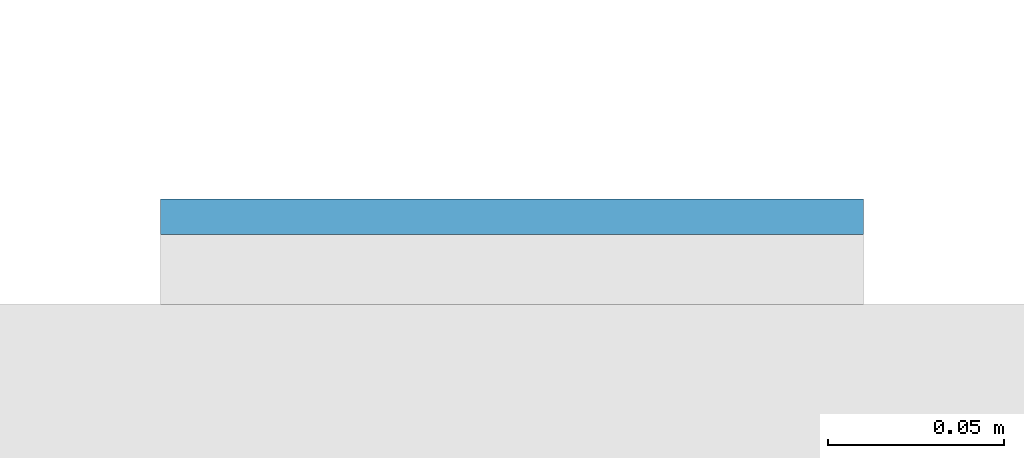
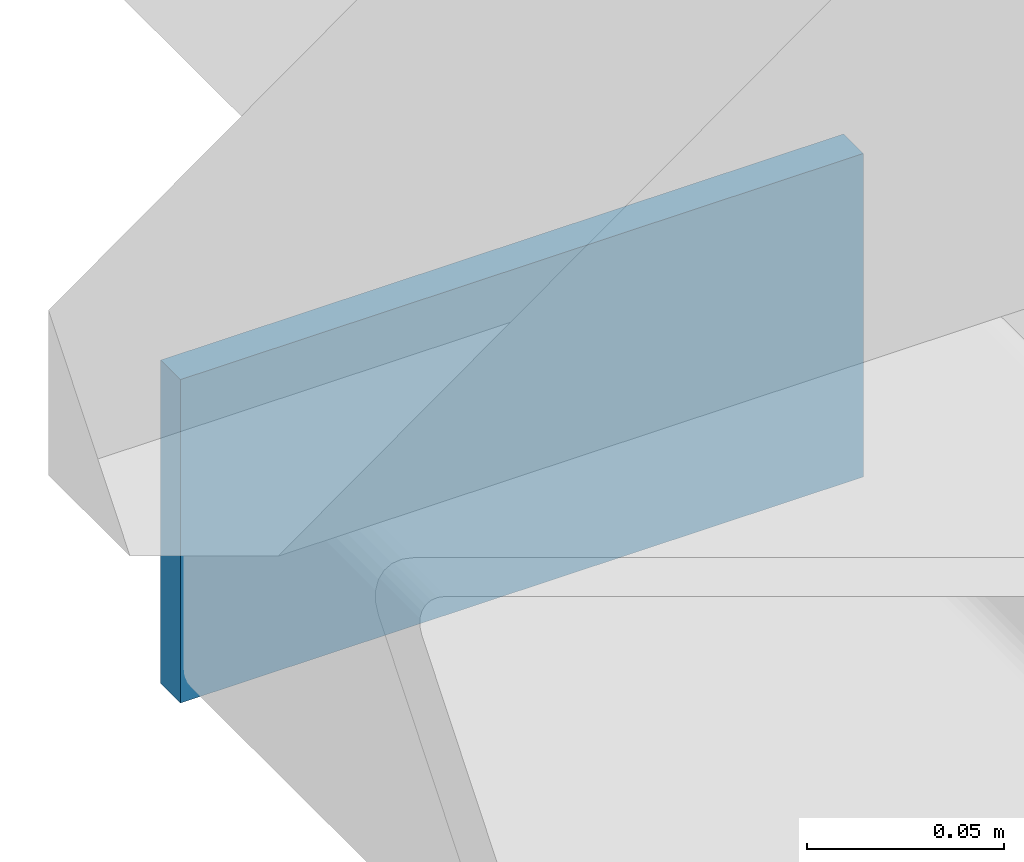
# One storey, part 9 of 20: 1 plate.
"""IFC4 building model written with IfcOpenShell, lengths in metres."""

from ifc_helpers import new_model, si_unit, direction, frame, origin, origin_2d, place, context, subcontext, project, spatial, rectangle, extrude, material, layer, layer_set, type_object, element, save


model = new_model("IFC4")

# Units and contexts
model_context = context("Model", 3, precision=1e-05, world=origin(), true_north=direction((0.0, 1.0)))
body_context = subcontext(model_context, "Body", "Model", "MODEL_VIEW")
ifc_project = project(units=[si_unit("LENGTHUNIT", "METRE"), si_unit("AREAUNIT", "SQUARE_METRE"), si_unit("VOLUMEUNIT", "CUBIC_METRE"), si_unit("PLANEANGLEUNIT", "RADIAN"), si_unit("MASSUNIT", "GRAM", prefix="KILO")], contexts=[model_context])

# Site, building, storey
site_placement = place(None, origin())
site = spatial("IfcSite", under=ifc_project, at=site_placement, CompositionType="ELEMENT")
building_placement = place(site_placement, origin())
building = spatial("IfcBuilding", under=site, at=building_placement, Name="Cleftline Residences", CompositionType="ELEMENT")
storey_placement = place(building_placement, frame((0.0, 0.0, 72.800048828125)))
storey = spatial("IfcBuildingStorey", under=building, at=storey_placement, Name="L18", CompositionType="ELEMENT", Elevation=72.800048828125)

# Plate
ifc_material = material(Name="Steel S355, hot-dip galvanised", Category="steel")
ifc_layer = layer(ifc_material, 0.010009765625)
ifc_layer_set = layer_set([ifc_layer], Name="BAGUETTE CARRIER END PLATE 200X100X10")
plate_type = type_object("IfcPlateType", Name="BAGUETTE CARRIER END PLATE 200X100X10", PredefinedType="USERDEFINED", material=ifc_layer_set)
plate_placement = place(storey_placement, frame((-0.85009765625, 44.304931640625, -0.10009765625), z_axis=(0.0, 0.0, 1.0), x_axis=(-1.0, 0.0, 0.0)))
element("IfcPlate", 1, at=plate_placement, inside=storey, type_object=plate_type, Name="Baguette carrier end plate", ObjectType="BAGUETTE CARRIER END PLATE", PredefinedType="USERDEFINED", context=body_context, shape_type="SweptSolid", body=[
    extrude(rectangle(XDim=0.199951171875, YDim=0.010009765625, at=origin_2d()), origin(), (0.0, 0.0, 1.0), 0.10009765625),
])

save(model, "model.ifc")
